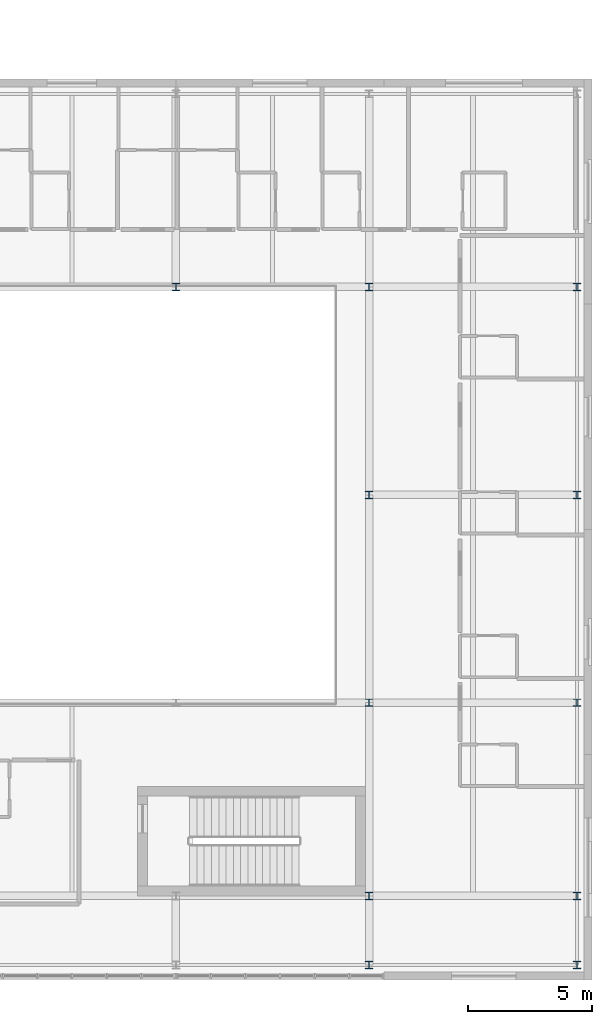
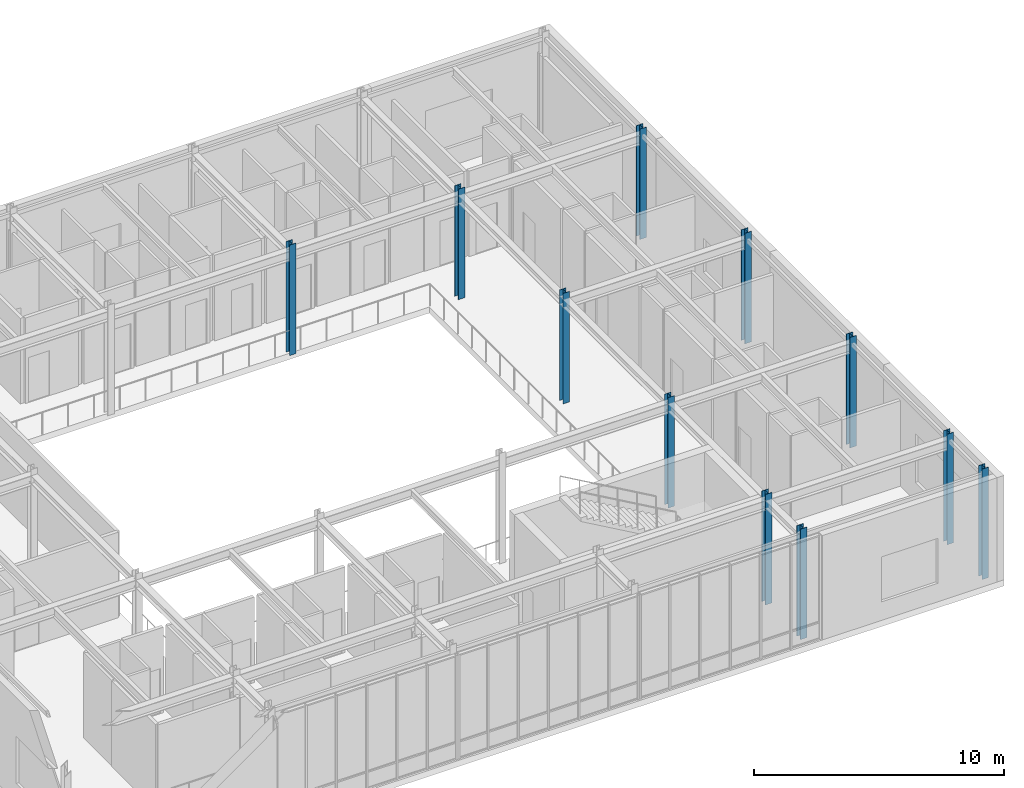
# One storey, part 5 of 139: 11 columns.
"""IFC4 building model written with IfcOpenShell, lengths in metres."""

from ifc_helpers import new_model, si_unit, direction, frame, origin, origin_2d, place, context, subcontext, project, spatial, i_section, extrude, material, material_profile, profile_set, type_object, element, save


model = new_model("IFC4")

# Units and contexts
model_context = context("Model", 3, precision=1e-05, world=origin(), true_north=direction((0.0, 1.0)))
body_context = subcontext(model_context, "Body", "Model", "MODEL_VIEW")
ifc_project = project(units=[si_unit("LENGTHUNIT", "METRE"), si_unit("AREAUNIT", "SQUARE_METRE"), si_unit("VOLUMEUNIT", "CUBIC_METRE"), si_unit("PLANEANGLEUNIT", "RADIAN"), si_unit("MASSUNIT", "GRAM", prefix="KILO")], contexts=[model_context])

# Site, building, storey
site_placement = place(None, origin())
site = spatial("IfcSite", under=ifc_project, at=site_placement, CompositionType="ELEMENT")
building_placement = place(site_placement, origin())
building = spatial("IfcBuilding", under=site, at=building_placement, Name="Zayran Congress Hotel", CompositionType="ELEMENT")
storey_placement = place(building_placement, frame((0.0, 0.0, 5.39990234375)))
storey = spatial("IfcBuildingStorey", under=building, at=storey_placement, Name="L01", CompositionType="ELEMENT", Elevation=5.39990234375)

# Columns
ifc_material = material(Name="Steel S355", Category="steel")
ifc_material_profile = material_profile(ifc_material, i_section(OverallWidth=0.300048828125, OverallDepth=0.300048828125, WebThickness=0.010986328125, FlangeThickness=0.01904296875, at=origin_2d()), Name="HEB 300")
ifc_profile_set = profile_set([ifc_material_profile], Name="Steel S355")
column_type = type_object("IfcColumnType", Name="TP-CL-08", PredefinedType="COLUMN", material=ifc_profile_set)
for number, where, z_axis, x_axis, name in (
    (1, (176.39990234375, 34.0, 0.0), (0.0, 0.0, 1.0), (1.0, 0.0, 0.0), "COL-V3-L01-0666"),
    (2, (184.199951171875, 6.60009765625, 0.0), (0.0, 0.0, 1.0), (1.0, 0.0, 0.0), "COL-V3-L01-0668"),
    (3, (184.199951171875, 9.39990234375, 0.0), (0.0, 0.0, 1.0), (1.0, 0.0, 0.0), "COL-V3-L01-0669"),
    (4, (184.199951171875, 17.199951171875, 0.0), (0.0, 0.0, 1.0), (1.0, 0.0, 0.0), "COL-V3-L01-0670"),
    (5, (184.199951171875, 25.60009765625, 0.0), (0.0, 0.0, 1.0), (1.0, 0.0, 0.0), "COL-V3-L01-0671"),
    (6, (184.199951171875, 34.0, 0.0), (0.0, 0.0, 1.0), (1.0, 0.0, 0.0), "COL-V3-L01-0672"),
    (7, (192.60009765625, 6.60009765625, 0.0), (0.0, 0.0, 1.0), (1.0, 0.0, 0.0), "COL-V3-L01-0674"),
    (8, (192.60009765625, 9.39990234375, 0.0), (0.0, 0.0, 1.0), (1.0, 0.0, 0.0), "COL-V3-L01-0675"),
    (9, (192.60009765625, 17.199951171875, 0.0), (0.0, 0.0, 1.0), (1.0, 0.0, 0.0), "COL-V3-L01-0676"),
    (10, (192.60009765625, 25.60009765625, 0.0), (0.0, 0.0, 1.0), (1.0, 0.0, 0.0), "COL-V3-L01-0677"),
    (11, (192.60009765625, 34.0, 0.0), (0.0, 0.0, 1.0), (1.0, 0.0, 0.0), "COL-V3-L01-0678"),
):
    element("IfcColumn", number, at=place(storey_placement, frame(where, z_axis=z_axis, x_axis=x_axis)), inside=storey, type_object=column_type, Name=name, PredefinedType="COLUMN", context=body_context, shape_type="SweptSolid", body=[
        extrude(i_section(OverallWidth=0.300048828125, OverallDepth=0.300048828125, WebThickness=0.010986328125, FlangeThickness=0.01904296875, at=origin_2d()), origin(), (0.0, 0.0, 1.0), 5.400146484375),
    ])

save(model, "model.ifc")
